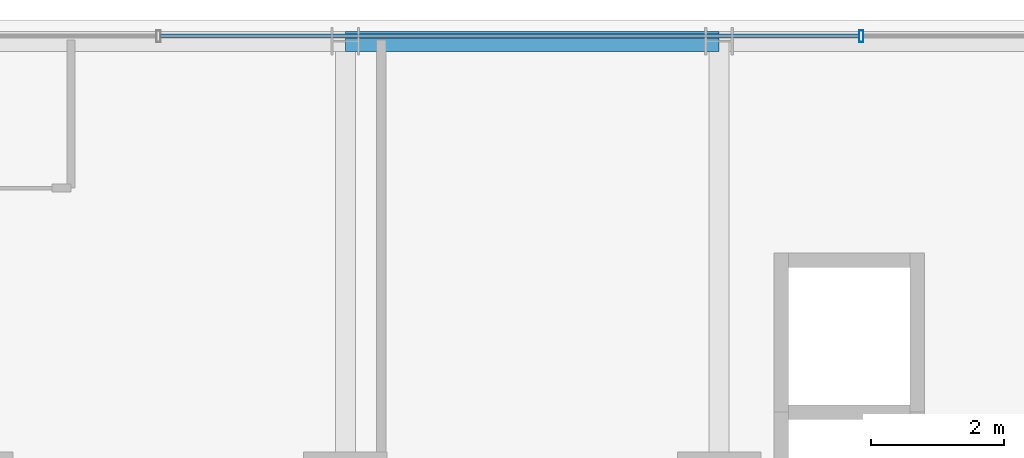
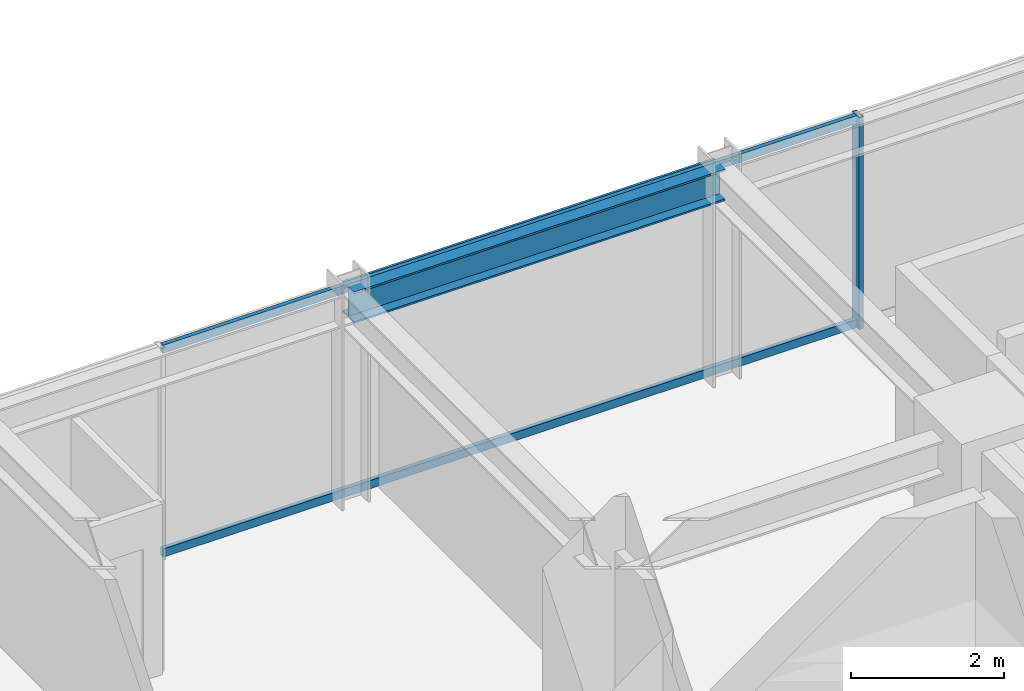
# One storey, part 23 of 32: 3 members, 1 beam, 1 element without a shape of its own.
"""IFC4 building model written with IfcOpenShell, lengths in metres."""

from ifc_helpers import new_model, si_unit, direction, frame, origin, origin_2d, place, context, subcontext, project, spatial, hollow_rectangle, i_section, extrude, source, transform, mapped, material, material_profile, profile_set, type_object, element, aggregate, save


model = new_model("IFC4")

# Units and contexts
model_context = context("Model", 3, precision=1e-05, world=origin(), true_north=direction((0.0, 1.0)))
body_context = subcontext(model_context, "Body", "Model", "MODEL_VIEW")
ifc_project = project(units=[si_unit("LENGTHUNIT", "METRE"), si_unit("AREAUNIT", "SQUARE_METRE"), si_unit("VOLUMEUNIT", "CUBIC_METRE"), si_unit("PLANEANGLEUNIT", "RADIAN"), si_unit("MASSUNIT", "GRAM", prefix="KILO")], contexts=[model_context])

# Site, building, storey
site_placement = place(None, origin())
site = spatial("IfcSite", under=ifc_project, at=site_placement, CompositionType="ELEMENT")
building_placement = place(site_placement, origin())
building = spatial("IfcBuilding", under=site, at=building_placement, Name="Nahalor Promenade Grand Hotel", CompositionType="ELEMENT")
storey_placement = place(building_placement, frame((0.0, 0.0, 124.800048828125)))
storey = spatial("IfcBuildingStorey", under=building, at=storey_placement, Name="L31", CompositionType="ELEMENT", Elevation=124.800048828125)

# Beam
ifc_material_1 = material(Name="Steel S355JR", Category="steel")
ifc_material_profile_1 = material_profile(ifc_material_1, i_section(OverallWidth=0.3, OverallDepth=0.5, WebThickness=0.0145, FlangeThickness=0.028, at=origin_2d()), Name="HEB 500")
ifc_profile_set_1 = profile_set([ifc_material_profile_1], Name="Steel S355JR")
beam_type = type_object("IfcBeamType", Name="Beam-Spandrel-HEB500", PredefinedType="SPANDREL", material=ifc_profile_set_1)
shared_shape_1 = source(origin(), body_context, "Body", "SweptSolid", [
    extrude(i_section(OverallWidth=0.3, OverallDepth=0.5, WebThickness=0.0145, FlangeThickness=0.028, at=origin_2d()), origin(), (0.0, 0.0, 1.0), 5.599853515625),
])
beam_placement = place(storey_placement, frame((2.800048828125, 23.780029296875, 3.1298828125), z_axis=(1.0, 0.0, 0.0), x_axis=(0.0, 1.0, 0.0)))
element("IfcBeam", 1, at=beam_placement, inside=storey, type_object=beam_type, Name="BM-L31-SP-N-3", PredefinedType="SPANDREL", context=body_context, shape_type="MappedRepresentation", body=[
    mapped(shared_shape_1, transform((0.0, 0.0, 0.0), scale=1.0)),
])

# Curtain wall, members
ifc_material_2 = material(Name="Anodised Bronze Aluminium EN AW-6063 T6", Category="aluminium")
curtain_wall_type = type_object("IfcCurtainWallType", Name="CW2 Typical Hotel Flush Bronze Unitised Curtain Wall", PredefinedType="USERDEFINED", material=ifc_material_2)
curtain_wall_placement = place(storey_placement, origin())
curtain_wall = element("IfcCurtainWall", 2, at=curtain_wall_placement, inside=storey, type_object=curtain_wall_type, Name="L31 Curtain Wall CW-L31-N-1", ObjectType="UNITISED_CURTAIN_WALL", PredefinedType="USERDEFINED")
ifc_material_profile_2 = material_profile(ifc_material_2, hollow_rectangle(XDim=0.065, YDim=0.18, WallThickness=0.004, at=origin_2d()), Name="CWM 65x180x4")
ifc_profile_set_2 = profile_set([ifc_material_profile_2], Name="Anodised Bronze Aluminium EN AW-6063 T6")
member_type_1 = type_object("IfcMemberType", Name="CWM2 Typical Bronze Mullion 65x180", PredefinedType="MULLION", material=ifc_profile_set_2)
shared_shape_2 = source(origin(), body_context, "Body", "SweptSolid", [
    extrude(hollow_rectangle(XDim=0.065, YDim=0.18, WallThickness=0.004, at=origin_2d()), origin(), (0.0, 0.0, 1.0), 3.3798828125),
])
member_1_placement = place(storey_placement, frame((10.530029296875, 23.860107421875, 0.0), z_axis=(0.0, 0.0, 1.0), x_axis=(1.0, 0.0, 0.0)))
member_1 = element("IfcMember", 3, at=member_1_placement, type_object=member_type_1, Name="CW-L31-N-1 Mullion 3", PredefinedType="MULLION", context=body_context, shape_type="MappedRepresentation", body=[
    mapped(shared_shape_2, transform((0.0, 0.0, 0.0), scale=1.0)),
])
ifc_material_profile_3 = material_profile(ifc_material_2, hollow_rectangle(XDim=0.065, YDim=0.13, WallThickness=0.004, at=origin_2d()), Name="CWT 65x130x4")
ifc_profile_set_3 = profile_set([ifc_material_profile_3], Name="Anodised Bronze Aluminium EN AW-6063 T6")
member_type_2 = type_object("IfcMemberType", Name="CWT2 Typical Bronze Transom 65x130", PredefinedType="USERDEFINED", material=ifc_profile_set_3)
shared_shape_3 = source(origin(), body_context, "Body", "SweptSolid", [
    extrude(hollow_rectangle(XDim=0.065, YDim=0.13, WallThickness=0.004, at=origin_2d()), origin(), (0.0, 0.0, 1.0), 10.465087890625),
])
member_2_placement = place(storey_placement, frame((0.032470703125, 23.860107421875, 0.06494140625), z_axis=(1.0, 0.0, 0.0), x_axis=(0.0, 1.0, 0.0)))
member_2 = element("IfcMember", 4, at=member_2_placement, type_object=member_type_2, Name="CW-L31-N-1 Transom 2-0", ObjectType="TRANSOM", PredefinedType="USERDEFINED", context=body_context, shape_type="MappedRepresentation", body=[
    mapped(shared_shape_3, transform((0.0, 0.0, 0.0), scale=1.0)),
])
member_3_placement = place(storey_placement, frame((0.032470703125, 23.860107421875, 3.31494140625), z_axis=(1.0, 0.0, 0.0), x_axis=(0.0, 1.0, 0.0)))
member_3 = element("IfcMember", 5, at=member_3_placement, type_object=member_type_2, Name="CW-L31-N-1 Transom 2-1", ObjectType="TRANSOM", PredefinedType="USERDEFINED", context=body_context, shape_type="MappedRepresentation", body=[
    mapped(shared_shape_3, transform((0.0, 0.0, 0.0), scale=1.0)),
])
aggregate(curtain_wall, [member_1, member_2, member_3])

save(model, "model.ifc")
